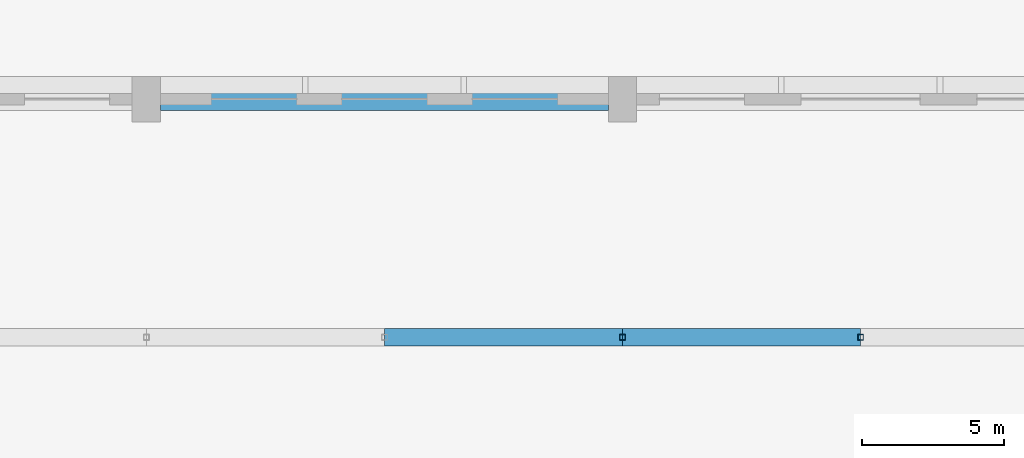
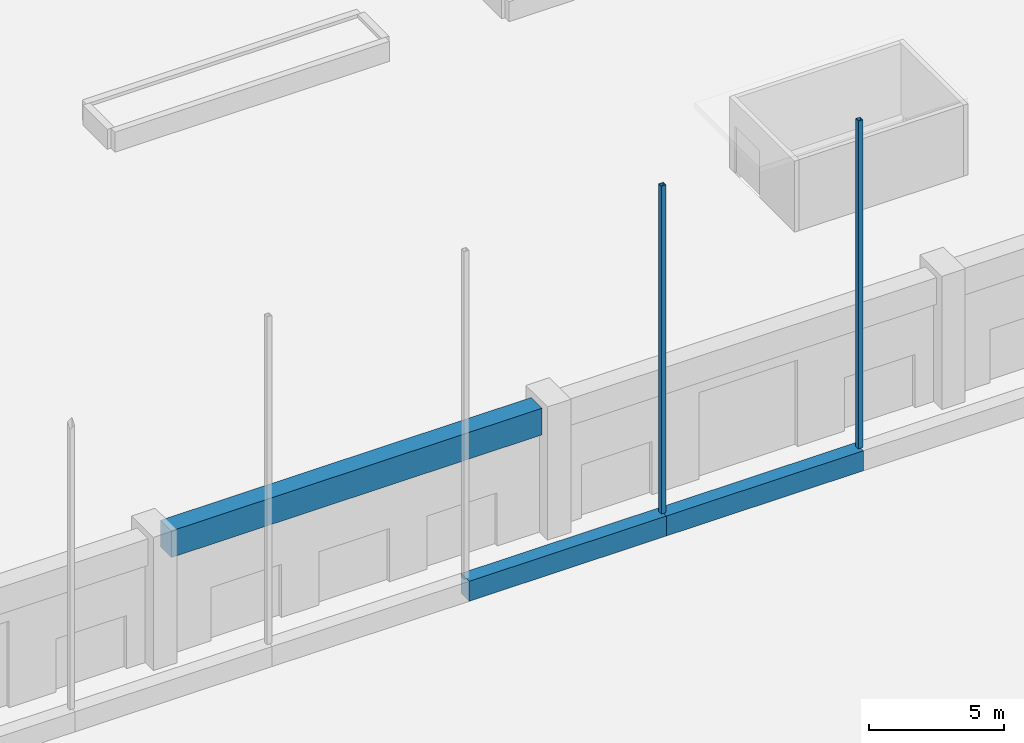
# One storey, part 63 of 210: 3 beams, 2 members.
"""IFC4 building model written with IfcOpenShell, lengths in metres."""

from ifc_helpers import new_model, si_unit, direction, frame, origin, origin_2d, place, context, subcontext, project, spatial, rectangle, hollow_rectangle, extrude, material, material_profile, profile_set, type_object, element, save


model = new_model("IFC4")

# Units and contexts
model_context = context("Model", 3, precision=1e-05, world=origin(), true_north=direction((0.0, 1.0)))
body_context = subcontext(model_context, "Body", "Model", "MODEL_VIEW")
ifc_project = project(units=[si_unit("LENGTHUNIT", "METRE"), si_unit("AREAUNIT", "SQUARE_METRE"), si_unit("VOLUMEUNIT", "CUBIC_METRE"), si_unit("PLANEANGLEUNIT", "RADIAN"), si_unit("MASSUNIT", "GRAM", prefix="KILO")], contexts=[model_context])

# Site, building, storey
site_placement = place(None, origin())
site = spatial("IfcSite", under=ifc_project, at=site_placement, CompositionType="ELEMENT")
building_placement = place(site_placement, origin())
building = spatial("IfcBuilding", under=site, at=building_placement, Name="Rain Tree Exposition and Congress Centre", CompositionType="ELEMENT")
storey_placement = place(building_placement, origin())
storey = spatial("IfcBuildingStorey", under=building, at=storey_placement, Name="L00", CompositionType="ELEMENT", Elevation=0.0)

# Beams
ifc_material_1 = material(Name="Precast concrete C50/60", Category="concrete")
ifc_material_profile_1 = material_profile(ifc_material_1, rectangle(XDim=0.60009765625, YDim=0.89990234375, at=origin_2d()), Name="RC 600x900")
ifc_profile_set_1 = profile_set([ifc_material_profile_1], Name="Precast concrete C50/60")
beam_type_1 = type_object("IfcBeamType", Name="Precast beam 600x900", PredefinedType="BEAM", material=ifc_profile_set_1)
beam_1_placement = place(storey_placement, frame((84.0, 193.199951171875, 5.25), z_axis=(1.0, 0.0, 0.0), x_axis=(0.0, 1.0, 0.0)))
element("IfcBeam", 1, at=beam_1_placement, inside=storey, type_object=beam_type_1, Name="Gallery edge beam 32", PredefinedType="BEAM", context=body_context, shape_type="SweptSolid", body=[
    extrude(rectangle(XDim=0.60009765625, YDim=0.89990234375, at=origin_2d()), origin(), (0.0, 0.0, 1.0), 8.39990234375),
])
beam_2_placement = place(storey_placement, frame((92.39990234375, 193.199951171875, 5.25), z_axis=(1.0, 0.0, 0.0), x_axis=(0.0, 1.0, 0.0)))
element("IfcBeam", 2, at=beam_2_placement, inside=storey, type_object=beam_type_1, Name="Gallery edge beam 33", PredefinedType="BEAM", context=body_context, shape_type="SweptSolid", body=[
    extrude(rectangle(XDim=0.60009765625, YDim=0.89990234375, at=origin_2d()), origin(), (0.0, 0.0, 1.0), 8.400146484375),
])
ifc_material_2 = material(Name="Precast concrete C50/60", Category="concrete")
ifc_material_profile_2 = material_profile(ifc_material_2, rectangle(XDim=0.800048828125, YDim=1.199951171875, at=origin_2d()), Name="RC 800x1200")
ifc_profile_set_2 = profile_set([ifc_material_profile_2], Name="Precast concrete C50/60")
beam_type_2 = type_object("IfcBeamType", Name="Precast beam 800x1200", PredefinedType="BEAM", material=ifc_profile_set_2)
beam_3_placement = place(storey_placement, frame((76.10009765625, 201.60009765625, 5.10009765625), z_axis=(1.0, 0.0, 0.0), x_axis=(0.0, 1.0, 0.0)))
element("IfcBeam", 3, at=beam_3_placement, inside=storey, type_object=beam_type_2, Name="Gallery perimeter beam 12", PredefinedType="BEAM", context=body_context, shape_type="SweptSolid", body=[
    extrude(rectangle(XDim=0.800048828125, YDim=1.199951171875, at=origin_2d()), origin(), (0.0, 0.0, 1.0), 15.7998046875),
])

# Members
ifc_material_3 = material(Name="Steel S355J2H", Category="steel")
ifc_material_profile_3 = material_profile(ifc_material_3, hollow_rectangle(XDim=0.199951171875, YDim=0.199951171875, WallThickness=0.009033203125, at=origin_2d()), Name="RHS 200x200x9")
ifc_profile_set_3 = profile_set([ifc_material_profile_3], Name="Steel S355J2H")
member_type = type_object("IfcMemberType", Name="Steel member member RHS 200x200x9", PredefinedType="MEMBER", material=ifc_profile_set_3)
for number, where, z_axis, x_axis, name in (
    (4, (92.39990234375, 193.199951171875, 5.699951171875), (0.0, 0.0, 1.0), (1.0, 0.0, 0.0), "Gallery hanger 44"),
    (5, (100.800048828125, 193.199951171875, 5.699951171875), (0.0, 0.0, 1.0), (1.0, 0.0, 0.0), "Gallery hanger 45"),
):
    element("IfcMember", number, at=place(storey_placement, frame(where, z_axis=z_axis, x_axis=x_axis)), inside=storey, type_object=member_type, Name=name, PredefinedType="MEMBER", context=body_context, shape_type="SweptSolid", body=[
        extrude(hollow_rectangle(XDim=0.199951171875, YDim=0.199951171875, WallThickness=0.009033203125, at=origin_2d()), origin(), (0.0, 0.0, 1.0), 14.766845703125),
    ])

save(model, "model.ifc")
